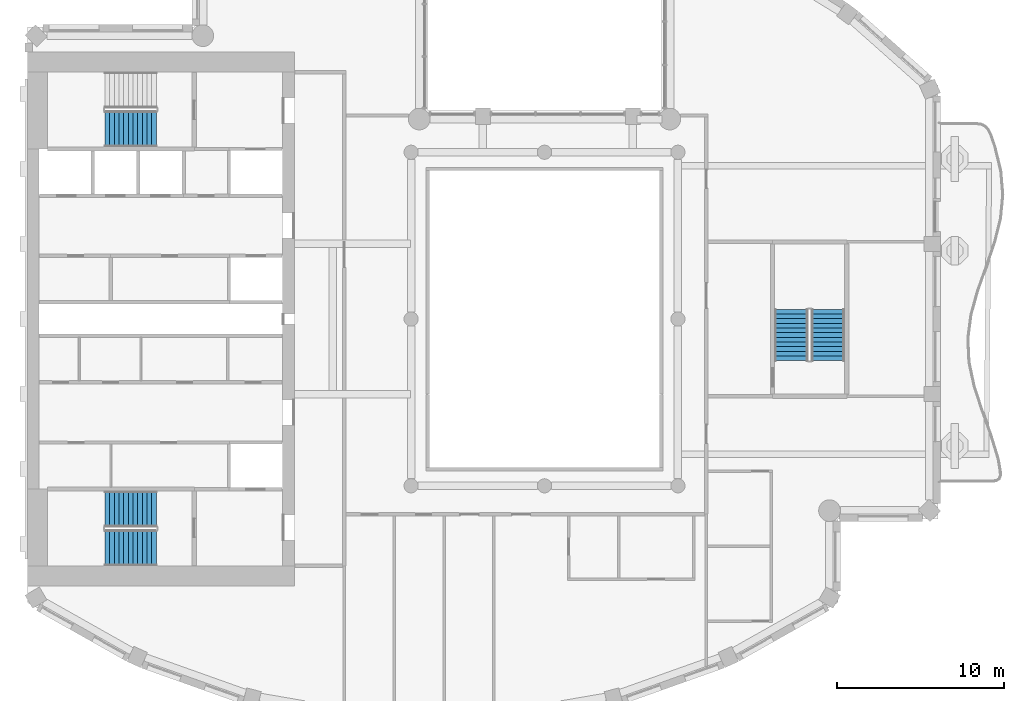
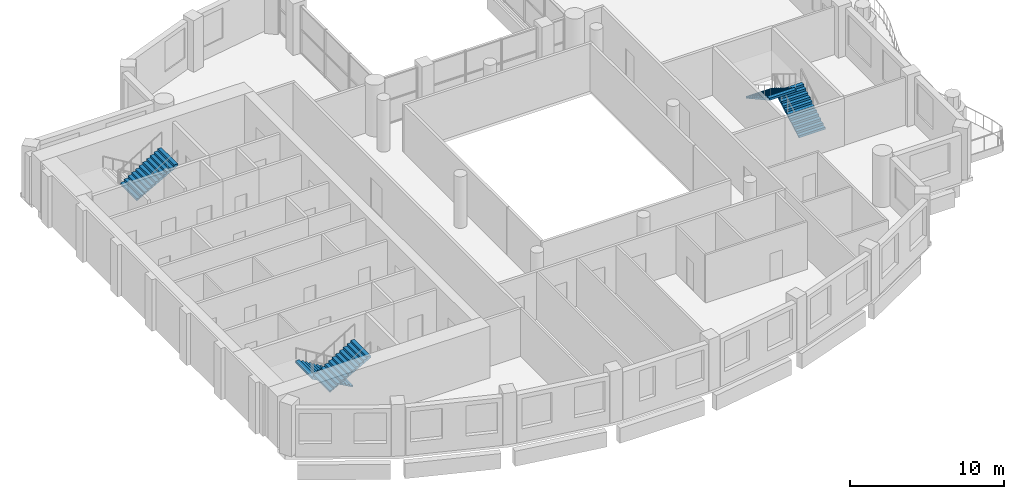
# One storey, part 8 of 14: 5 stair flights, 3 elements without a shape of their own.
"""IFC4 building model written with IfcOpenShell, lengths in metres."""

from ifc_helpers import new_model, si_unit, direction, frame, origin, place, context, subcontext, project, spatial, triangles, material, type_object, element, aggregate, save


model = new_model("IFC4")

# Units and contexts
model_context = context("Model", 3, precision=1e-05, world=origin(), true_north=direction((0.0, 1.0)))
body_context = subcontext(model_context, "Body", "Model", "MODEL_VIEW")
ifc_project = project(units=[si_unit("LENGTHUNIT", "METRE"), si_unit("AREAUNIT", "SQUARE_METRE"), si_unit("VOLUMEUNIT", "CUBIC_METRE"), si_unit("PLANEANGLEUNIT", "RADIAN"), si_unit("MASSUNIT", "GRAM", prefix="KILO")], contexts=[model_context])

# Site, building, storey
site_placement = place(None, origin())
site = spatial("IfcSite", under=ifc_project, at=site_placement, CompositionType="ELEMENT")
building_placement = place(site_placement, origin())
building = spatial("IfcBuilding", under=site, at=building_placement, Name="Cypress Arch Tower", CompositionType="ELEMENT")
storey_placement = place(building_placement, frame((0.0, 0.0, 272.10009765625)))
storey = spatial("IfcBuildingStorey", under=building, at=storey_placement, Name="L61", CompositionType="ELEMENT", Elevation=272.10009765625)

# Stair, stair flights
ifc_material_1 = material(Name="Concrete C40/50", Category="concrete")
stair_type_1 = type_object("IfcStairType", Name="Exit stair ES1708-200", PredefinedType="HALF_TURN_STAIR", material=ifc_material_1)
stair_1_placement = place(storey_placement, origin())
stair_1 = element("IfcStair", 1, at=stair_1_placement, inside=storey, type_object=stair_type_1, Name="L61 Exit stair C", PredefinedType="HALF_TURN_STAIR")
ifc_material_2 = material(Name="Concrete C40/50", Category="concrete")
stair_flight_type_1 = type_object("IfcStairFlightType", Name="Exit stair flight ES1708-200", PredefinedType="STRAIGHT", material=ifc_material_2)
stair_flight_1_placement = place(storey_placement, frame((18.0, -2.5, 0.0), z_axis=(0.0, 0.0, 1.0), x_axis=(0.0, 1.0, 0.0)))
stair_flight_1 = element("IfcStairFlight", 2, at=stair_flight_1_placement, type_object=stair_flight_type_1, Name="C flight 1", NumberOfRisers=12, NumberOfTreads=11, PredefinedType="STRAIGHT", RiserHeight=0.170833333, TreadLength=0.28, context=body_context, shape_type="Tessellation", body=[
    triangles([(0.0, -1.0, 0.0), (0.0, -1.0, 0.1708984375), (0.280029296875, -1.0, 0.1708984375), (0.280029296875, -1.0, 0.341552734375), (0.56005859375, -1.0, 0.341552734375), (0.56005859375, -1.0, 0.512451171875), (0.840087890625, -1.0, 0.512451171875), (0.840087890625, -1.0, 0.683349609375), (1.1201171875, -1.0, 0.683349609375), (1.1201171875, -1.0, 0.854248046875), (1.39990234375, -1.0, 0.854248046875), (1.39990234375, -1.0, 1.02490234375), (1.679931640625, -1.0, 1.02490234375), (1.679931640625, -1.0, 1.19580078125), (1.9599609375, -1.0, 1.19580078125), (1.9599609375, -1.0, 1.36669921875), (2.239990234375, -1.0, 1.36669921875), (2.239990234375, -1.0, 1.53759765625), (2.52001953125, -1.0, 1.53759765625), (2.52001953125, -1.0, 1.708251953125), (2.800048828125, -1.0, 1.708251953125), (2.800048828125, -1.0, 1.879150390625), (3.080078125, -1.0, 1.879150390625), (3.080078125, -1.0, 1.70361328125), (3.080078125, 1.0, 1.70361328125), (3.080078125, 1.0, 1.879150390625), (2.800048828125, 1.0, 1.879150390625), (2.800048828125, 1.0, 1.708251953125), (2.52001953125, 1.0, 1.708251953125), (2.52001953125, 1.0, 1.53759765625), (2.239990234375, 1.0, 1.53759765625), (2.239990234375, 1.0, 1.36669921875), (1.9599609375, 1.0, 1.36669921875), (1.9599609375, 1.0, 1.19580078125), (1.679931640625, 1.0, 1.19580078125), (1.679931640625, 1.0, 1.02490234375), (1.39990234375, 1.0, 1.02490234375), (1.39990234375, 1.0, 0.854248046875), (1.1201171875, 1.0, 0.854248046875), (1.1201171875, 1.0, 0.683349609375), (0.840087890625, 1.0, 0.683349609375), (0.840087890625, 1.0, 0.512451171875), (0.56005859375, 1.0, 0.512451171875), (0.56005859375, 1.0, 0.341552734375), (0.280029296875, 1.0, 0.341552734375), (0.280029296875, 1.0, 0.1708984375), (0.0, 1.0, 0.1708984375), (0.0, 1.0, 0.0), (3.080078125, 0.0, 1.879150390625), (3.080078125, 0.0, 1.70361328125), (2.800048828125, 0.0, 1.879150390625), (2.800048828125, 0.0, 1.708251953125), (2.52001953125, 0.0, 1.708251953125), (2.52001953125, 0.0, 1.53759765625), (2.239990234375, 0.0, 1.53759765625), (2.239990234375, 0.0, 1.36669921875), (1.9599609375, 0.0, 1.36669921875), (1.9599609375, 0.0, 1.19580078125), (1.679931640625, 0.0, 1.19580078125), (1.679931640625, 0.0, 1.02490234375), (1.39990234375, 0.0, 1.02490234375), (1.39990234375, 0.0, 0.854248046875), (1.1201171875, 0.0, 0.854248046875), (1.1201171875, 0.0, 0.683349609375), (0.840087890625, 0.0, 0.683349609375), (0.840087890625, 0.0, 0.512451171875), (0.56005859375, 0.0, 0.512451171875), (0.56005859375, 0.0, 0.341552734375), (0.280029296875, 0.0, 0.341552734375), (0.280029296875, 0.0, 0.1708984375), (0.0, 0.0, 0.1708984375), (0.0, 0.0, 0.0)], [[24, 23, 22], [11, 10, 9], [19, 18, 17], [17, 16, 15], [15, 14, 13], [9, 8, 7], [7, 6, 5], [3, 2, 1], [21, 20, 19], [13, 12, 11], [5, 4, 3], [24, 22, 21], [24, 21, 19], [24, 19, 17], [24, 17, 15], [24, 15, 13], [24, 13, 11], [24, 11, 9], [24, 9, 7], [24, 7, 5], [1, 24, 5], [5, 3, 1], [25, 27, 26], [38, 40, 39], [30, 32, 31], [32, 34, 33], [34, 36, 35], [40, 42, 41], [42, 44, 43], [46, 48, 47], [28, 30, 29], [36, 38, 37], [44, 46, 45], [25, 28, 27], [25, 30, 28], [25, 32, 30], [25, 34, 32], [25, 36, 34], [25, 38, 36], [25, 40, 38], [25, 42, 40], [25, 44, 42], [48, 44, 25], [44, 48, 46], [50, 49, 23], [50, 23, 24], [25, 26, 49], [25, 49, 50], [49, 51, 22], [49, 22, 23], [26, 27, 51], [26, 51, 49], [51, 52, 21], [51, 21, 22], [27, 28, 52], [27, 52, 51], [52, 53, 20], [52, 20, 21], [28, 29, 53], [28, 53, 52], [53, 54, 19], [53, 19, 20], [29, 30, 54], [29, 54, 53], [54, 55, 18], [54, 18, 19], [30, 31, 55], [30, 55, 54], [55, 56, 17], [55, 17, 18], [31, 32, 56], [31, 56, 55], [56, 57, 16], [56, 16, 17], [32, 33, 57], [32, 57, 56], [57, 58, 15], [57, 15, 16], [33, 34, 58], [33, 58, 57], [58, 59, 14], [58, 14, 15], [34, 35, 59], [34, 59, 58], [59, 60, 13], [59, 13, 14], [35, 36, 60], [35, 60, 59], [60, 61, 12], [60, 12, 13], [36, 37, 61], [36, 61, 60], [61, 62, 11], [61, 11, 12], [37, 38, 62], [37, 62, 61], [62, 63, 10], [62, 10, 11], [38, 39, 63], [38, 63, 62], [63, 64, 9], [63, 9, 10], [39, 40, 64], [39, 64, 63], [64, 65, 8], [64, 8, 9], [40, 41, 65], [40, 65, 64], [65, 66, 7], [65, 7, 8], [41, 42, 66], [41, 66, 65], [66, 67, 6], [66, 6, 7], [42, 43, 67], [42, 67, 66], [67, 68, 5], [67, 5, 6], [43, 44, 68], [43, 68, 67], [68, 69, 4], [68, 4, 5], [44, 45, 69], [44, 69, 68], [69, 70, 3], [69, 3, 4], [45, 46, 70], [45, 70, 69], [70, 71, 2], [70, 2, 3], [46, 47, 71], [46, 71, 70], [71, 72, 1], [71, 1, 2], [47, 48, 72], [47, 72, 71], [72, 50, 24], [72, 24, 1], [48, 25, 50], [48, 50, 72]], closed=True),
])
stair_flight_2_placement = place(storey_placement, frame((15.800048828125, 0.580078125, 2.0498046875), z_axis=(0.0, 0.0, 1.0), x_axis=(0.0, -1.0, 0.0)))
stair_flight_2 = element("IfcStairFlight", 3, at=stair_flight_2_placement, type_object=stair_flight_type_1, Name="C flight 2", NumberOfRisers=12, NumberOfTreads=11, PredefinedType="STRAIGHT", RiserHeight=0.170833333, TreadLength=0.28, context=body_context, shape_type="Tessellation", body=[
    triangles([(0.0, -1.0, 0.0), (0.0, -1.0, 0.1708984375), (0.280029296875, -1.0, 0.1708984375), (0.280029296875, -1.0, 0.341552734375), (0.56005859375, -1.0, 0.341552734375), (0.56005859375, -1.0, 0.512451171875), (0.840087890625, -1.0, 0.512451171875), (0.840087890625, -1.0, 0.683349609375), (1.1201171875, -1.0, 0.683349609375), (1.1201171875, -1.0, 0.854248046875), (1.39990234375, -1.0, 0.854248046875), (1.39990234375, -1.0, 1.02490234375), (1.679931640625, -1.0, 1.02490234375), (1.679931640625, -1.0, 1.19580078125), (1.9599609375, -1.0, 1.19580078125), (1.9599609375, -1.0, 1.36669921875), (2.239990234375, -1.0, 1.36669921875), (2.239990234375, -1.0, 1.53759765625), (2.52001953125, -1.0, 1.53759765625), (2.52001953125, -1.0, 1.708251953125), (2.800048828125, -1.0, 1.708251953125), (2.800048828125, -1.0, 1.879150390625), (3.080078125, -1.0, 1.879150390625), (3.080078125, -1.0, 1.70361328125), (3.080078125, 1.0, 1.70361328125), (3.080078125, 1.0, 1.879150390625), (2.800048828125, 1.0, 1.879150390625), (2.800048828125, 1.0, 1.708251953125), (2.52001953125, 1.0, 1.708251953125), (2.52001953125, 1.0, 1.53759765625), (2.239990234375, 1.0, 1.53759765625), (2.239990234375, 1.0, 1.36669921875), (1.9599609375, 1.0, 1.36669921875), (1.9599609375, 1.0, 1.19580078125), (1.679931640625, 1.0, 1.19580078125), (1.679931640625, 1.0, 1.02490234375), (1.39990234375, 1.0, 1.02490234375), (1.39990234375, 1.0, 0.854248046875), (1.1201171875, 1.0, 0.854248046875), (1.1201171875, 1.0, 0.683349609375), (0.840087890625, 1.0, 0.683349609375), (0.840087890625, 1.0, 0.512451171875), (0.56005859375, 1.0, 0.512451171875), (0.56005859375, 1.0, 0.341552734375), (0.280029296875, 1.0, 0.341552734375), (0.280029296875, 1.0, 0.1708984375), (0.0, 1.0, 0.1708984375), (0.0, 1.0, 0.0), (3.080078125, 0.0, 1.879150390625), (3.080078125, 0.0, 1.70361328125), (2.800048828125, 0.0, 1.879150390625), (2.800048828125, 0.0, 1.708251953125), (2.52001953125, 0.0, 1.708251953125), (2.52001953125, 0.0, 1.53759765625), (2.239990234375, 0.0, 1.53759765625), (2.239990234375, 0.0, 1.36669921875), (1.9599609375, 0.0, 1.36669921875), (1.9599609375, 0.0, 1.19580078125), (1.679931640625, 0.0, 1.19580078125), (1.679931640625, 0.0, 1.02490234375), (1.39990234375, 0.0, 1.02490234375), (1.39990234375, 0.0, 0.854248046875), (1.1201171875, 0.0, 0.854248046875), (1.1201171875, 0.0, 0.683349609375), (0.840087890625, 0.0, 0.683349609375), (0.840087890625, 0.0, 0.512451171875), (0.56005859375, 0.0, 0.512451171875), (0.56005859375, 0.0, 0.341552734375), (0.280029296875, 0.0, 0.341552734375), (0.280029296875, 0.0, 0.1708984375), (0.0, 0.0, 0.1708984375), (0.0, 0.0, 0.0)], [[24, 23, 22], [11, 10, 9], [19, 18, 17], [17, 16, 15], [15, 14, 13], [9, 8, 7], [7, 6, 5], [3, 2, 1], [21, 20, 19], [13, 12, 11], [5, 4, 3], [24, 22, 21], [24, 21, 19], [24, 19, 17], [24, 17, 15], [24, 15, 13], [24, 13, 11], [24, 11, 9], [24, 9, 7], [24, 7, 5], [1, 24, 5], [5, 3, 1], [25, 27, 26], [38, 40, 39], [30, 32, 31], [32, 34, 33], [34, 36, 35], [40, 42, 41], [42, 44, 43], [46, 48, 47], [28, 30, 29], [36, 38, 37], [44, 46, 45], [25, 28, 27], [25, 30, 28], [25, 32, 30], [25, 34, 32], [25, 36, 34], [25, 38, 36], [25, 40, 38], [25, 42, 40], [25, 44, 42], [48, 44, 25], [44, 48, 46], [50, 49, 23], [50, 23, 24], [25, 26, 49], [25, 49, 50], [49, 51, 22], [49, 22, 23], [26, 27, 51], [26, 51, 49], [51, 52, 21], [51, 21, 22], [27, 28, 52], [27, 52, 51], [52, 53, 20], [52, 20, 21], [28, 29, 53], [28, 53, 52], [53, 54, 19], [53, 19, 20], [29, 30, 54], [29, 54, 53], [54, 55, 18], [54, 18, 19], [30, 31, 55], [30, 55, 54], [55, 56, 17], [55, 17, 18], [31, 32, 56], [31, 56, 55], [56, 57, 16], [56, 16, 17], [32, 33, 57], [32, 57, 56], [57, 58, 15], [57, 15, 16], [33, 34, 58], [33, 58, 57], [58, 59, 14], [58, 14, 15], [34, 35, 59], [34, 59, 58], [59, 60, 13], [59, 13, 14], [35, 36, 60], [35, 60, 59], [60, 61, 12], [60, 12, 13], [36, 37, 61], [36, 61, 60], [61, 62, 11], [61, 11, 12], [37, 38, 62], [37, 62, 61], [62, 63, 10], [62, 10, 11], [38, 39, 63], [38, 63, 62], [63, 64, 9], [63, 9, 10], [39, 40, 64], [39, 64, 63], [64, 65, 8], [64, 8, 9], [40, 41, 65], [40, 65, 64], [65, 66, 7], [65, 7, 8], [41, 42, 66], [41, 66, 65], [66, 67, 6], [66, 6, 7], [42, 43, 67], [42, 67, 66], [67, 68, 5], [67, 5, 6], [43, 44, 68], [43, 68, 67], [68, 69, 4], [68, 4, 5], [44, 45, 69], [44, 69, 68], [69, 70, 3], [69, 3, 4], [45, 46, 70], [45, 70, 69], [70, 71, 2], [70, 2, 3], [46, 47, 71], [46, 71, 70], [71, 72, 1], [71, 1, 2], [47, 48, 72], [47, 72, 71], [72, 50, 24], [72, 24, 1], [48, 25, 50], [48, 50, 72]], closed=True),
])
aggregate(stair_1, [stair_flight_1, stair_flight_2])

ifc_material_3 = material(Name="Concrete C40/50", Category="concrete")
stair_type_2 = type_object("IfcStairType", Name="Exit stair ES1708-215", PredefinedType="HALF_TURN_STAIR", material=ifc_material_3)
stair_2_placement = place(storey_placement, origin())
stair_2 = element("IfcStair", 4, at=stair_2_placement, inside=storey, type_object=stair_type_2, Name="L61 Exit stair A", PredefinedType="HALF_TURN_STAIR")
ifc_material_4 = material(Name="Concrete C40/50", Category="concrete")
stair_flight_type_2 = type_object("IfcStairFlightType", Name="Exit stair flight ES1708-215", PredefinedType="STRAIGHT", material=ifc_material_4)
stair_flight_3_placement = place(storey_placement, frame((-22.27490234375, -11.39990234375, 0.0), z_axis=(0.0, 0.0, 1.0), x_axis=(-1.0, 0.0, 0.0)))
stair_flight_3 = element("IfcStairFlight", 5, at=stair_flight_3_placement, type_object=stair_flight_type_2, Name="A flight 1", NumberOfRisers=12, NumberOfTreads=11, PredefinedType="STRAIGHT", RiserHeight=0.170833333, TreadLength=0.28, context=body_context, shape_type="Tessellation", body=[
    triangles([(0.0, -1.074951171875, 0.0), (0.000244140625, -1.074951171875, 0.01904296875), (0.000244140625, -1.074951171875, 0.0380859375), (0.00048828125, -1.074951171875, 0.056884765625), (0.00048828125, -1.074951171875, 0.075927734375), (0.00048828125, -1.074951171875, 0.094970703125), (0.00048828125, -1.074951171875, 0.114013671875), (0.000244140625, -1.074951171875, 0.1328125), (0.000244140625, -1.074951171875, 0.15185546875), (0.0, -1.074951171875, 0.1708984375), (0.280029296875, -1.074951171875, 0.1708984375), (0.280029296875, -1.074951171875, 0.341552734375), (0.56005859375, -1.074951171875, 0.341552734375), (0.56005859375, -1.074951171875, 0.512451171875), (0.840087890625, -1.074951171875, 0.512451171875), (0.840087890625, -1.074951171875, 0.683349609375), (1.1201171875, -1.074951171875, 0.683349609375), (1.1201171875, -1.074951171875, 0.854248046875), (1.39990234375, -1.074951171875, 0.854248046875), (1.39990234375, -1.074951171875, 1.02490234375), (1.679931640625, -1.074951171875, 1.02490234375), (1.679931640625, -1.074951171875, 1.19580078125), (1.9599609375, -1.074951171875, 1.19580078125), (1.9599609375, -1.074951171875, 1.36669921875), (2.239990234375, -1.074951171875, 1.36669921875), (2.239990234375, -1.074951171875, 1.53759765625), (2.52001953125, -1.074951171875, 1.53759765625), (2.52001953125, -1.074951171875, 1.708251953125), (2.800048828125, -1.074951171875, 1.708251953125), (2.800048828125, -1.074951171875, 1.879150390625), (3.080078125, -1.074951171875, 1.879150390625), (3.079833984375, -1.074951171875, 1.859619140625), (3.079833984375, -1.074951171875, 1.840087890625), (3.07958984375, -1.074951171875, 1.820556640625), (3.07958984375, -1.074951171875, 1.801025390625), (3.07958984375, -1.074951171875, 1.78173828125), (3.07958984375, -1.074951171875, 1.76220703125), (3.079833984375, -1.074951171875, 1.74267578125), (3.079833984375, -1.074951171875, 1.72314453125), (3.080078125, -1.074951171875, 1.70361328125), (3.080078125, 1.074951171875, 1.70361328125), (3.079833984375, 1.074951171875, 1.72314453125), (3.079833984375, 1.074951171875, 1.74267578125), (3.07958984375, 1.074951171875, 1.76220703125), (3.07958984375, 1.074951171875, 1.78173828125), (3.07958984375, 1.074951171875, 1.801025390625), (3.07958984375, 1.074951171875, 1.820556640625), (3.079833984375, 1.074951171875, 1.840087890625), (3.079833984375, 1.074951171875, 1.859619140625), (3.080078125, 1.074951171875, 1.879150390625), (2.800048828125, 1.074951171875, 1.879150390625), (2.800048828125, 1.074951171875, 1.708251953125), (2.52001953125, 1.074951171875, 1.708251953125), (2.52001953125, 1.074951171875, 1.53759765625), (2.239990234375, 1.074951171875, 1.53759765625), (2.239990234375, 1.074951171875, 1.36669921875), (1.9599609375, 1.074951171875, 1.36669921875), (1.9599609375, 1.074951171875, 1.19580078125), (1.679931640625, 1.074951171875, 1.19580078125), (1.679931640625, 1.074951171875, 1.02490234375), (1.39990234375, 1.074951171875, 1.02490234375), (1.39990234375, 1.074951171875, 0.854248046875), (1.1201171875, 1.074951171875, 0.854248046875), (1.1201171875, 1.074951171875, 0.683349609375), (0.840087890625, 1.074951171875, 0.683349609375), (0.840087890625, 1.074951171875, 0.512451171875), (0.56005859375, 1.074951171875, 0.512451171875), (0.56005859375, 1.074951171875, 0.341552734375), (0.280029296875, 1.074951171875, 0.341552734375), (0.280029296875, 1.074951171875, 0.1708984375), (0.0, 1.074951171875, 0.1708984375), (0.000244140625, 1.074951171875, 0.15185546875), (0.000244140625, 1.074951171875, 0.1328125), (0.00048828125, 1.074951171875, 0.114013671875), (0.00048828125, 1.074951171875, 0.094970703125), (0.00048828125, 1.074951171875, 0.075927734375), (0.00048828125, 1.074951171875, 0.056884765625), (0.000244140625, 1.074951171875, 0.0380859375), (0.000244140625, 1.074951171875, 0.01904296875), (0.0, 1.074951171875, 0.0)], [[40, 39, 30], [39, 38, 30], [38, 37, 30], [37, 36, 30], [36, 35, 30], [35, 34, 30], [34, 33, 30], [33, 32, 30], [32, 31, 30], [19, 18, 17], [27, 26, 25], [25, 24, 23], [23, 22, 21], [17, 16, 15], [15, 14, 13], [10, 9, 11], [9, 8, 11], [8, 7, 11], [7, 6, 11], [6, 5, 11], [5, 4, 11], [4, 3, 11], [3, 2, 11], [2, 1, 11], [29, 28, 27], [21, 20, 19], [13, 12, 11], [40, 30, 29], [40, 29, 27], [40, 27, 25], [40, 25, 23], [40, 23, 21], [40, 21, 19], [40, 19, 17], [40, 17, 15], [40, 15, 13], [1, 40, 13], [13, 11, 1], [41, 51, 42], [42, 51, 43], [43, 51, 44], [44, 51, 45], [45, 51, 46], [46, 51, 47], [47, 51, 48], [48, 51, 49], [49, 51, 50], [62, 64, 63], [54, 56, 55], [56, 58, 57], [58, 60, 59], [64, 66, 65], [66, 68, 67], [71, 70, 72], [72, 70, 73], [73, 70, 74], [74, 70, 75], [75, 70, 76], [76, 70, 77], [77, 70, 78], [78, 70, 79], [79, 70, 80], [52, 54, 53], [60, 62, 61], [68, 70, 69], [41, 52, 51], [41, 54, 52], [41, 56, 54], [41, 58, 56], [41, 60, 58], [41, 62, 60], [41, 64, 62], [41, 66, 64], [41, 68, 66], [80, 68, 41], [68, 80, 70], [41, 42, 39], [41, 39, 40], [42, 43, 38], [42, 38, 39], [43, 44, 37], [43, 37, 38], [44, 45, 36], [44, 36, 37], [45, 46, 35], [45, 35, 36], [46, 47, 34], [46, 34, 35], [47, 48, 33], [47, 33, 34], [48, 49, 32], [48, 32, 33], [49, 50, 31], [49, 31, 32], [50, 51, 30], [50, 30, 31], [51, 52, 29], [51, 29, 30], [52, 53, 28], [52, 28, 29], [53, 54, 27], [53, 27, 28], [54, 55, 26], [54, 26, 27], [55, 56, 25], [55, 25, 26], [56, 57, 24], [56, 24, 25], [57, 58, 23], [57, 23, 24], [58, 59, 22], [58, 22, 23], [59, 60, 21], [59, 21, 22], [60, 61, 20], [60, 20, 21], [61, 62, 19], [61, 19, 20], [62, 63, 18], [62, 18, 19], [63, 64, 17], [63, 17, 18], [64, 65, 16], [64, 16, 17], [65, 66, 15], [65, 15, 16], [66, 67, 14], [66, 14, 15], [67, 68, 13], [67, 13, 14], [68, 69, 12], [68, 12, 13], [69, 70, 11], [69, 11, 12], [70, 71, 10], [70, 10, 11], [71, 72, 9], [71, 9, 10], [72, 73, 8], [72, 8, 9], [73, 74, 7], [73, 7, 8], [74, 75, 6], [74, 6, 7], [75, 76, 5], [75, 5, 6], [76, 77, 4], [76, 4, 5], [77, 78, 3], [77, 3, 4], [78, 79, 2], [78, 2, 3], [79, 80, 1], [79, 1, 2], [80, 41, 40], [80, 40, 1]], closed=True),
])
stair_flight_4_placement = place(storey_placement, frame((-25.35498046875, -13.72509765625, 2.0498046875), z_axis=(0.0, 0.0, 1.0), x_axis=(1.0, 0.0, 0.0)))
stair_flight_4 = element("IfcStairFlight", 6, at=stair_flight_4_placement, type_object=stair_flight_type_2, Name="A flight 2", NumberOfRisers=12, NumberOfTreads=11, PredefinedType="STRAIGHT", RiserHeight=0.170833333, TreadLength=0.28, context=body_context, shape_type="Tessellation", body=[
    triangles([(0.0, -1.074951171875, 0.0), (0.000244140625, -1.074951171875, 0.01904296875), (0.000244140625, -1.074951171875, 0.0380859375), (0.00048828125, -1.074951171875, 0.056884765625), (0.00048828125, -1.074951171875, 0.075927734375), (0.00048828125, -1.074951171875, 0.094970703125), (0.00048828125, -1.074951171875, 0.114013671875), (0.000244140625, -1.074951171875, 0.1328125), (0.000244140625, -1.074951171875, 0.15185546875), (0.0, -1.074951171875, 0.1708984375), (0.280029296875, -1.074951171875, 0.1708984375), (0.280029296875, -1.074951171875, 0.341552734375), (0.56005859375, -1.074951171875, 0.341552734375), (0.56005859375, -1.074951171875, 0.512451171875), (0.840087890625, -1.074951171875, 0.512451171875), (0.840087890625, -1.074951171875, 0.683349609375), (1.1201171875, -1.074951171875, 0.683349609375), (1.1201171875, -1.074951171875, 0.854248046875), (1.39990234375, -1.074951171875, 0.854248046875), (1.39990234375, -1.074951171875, 1.02490234375), (1.679931640625, -1.074951171875, 1.02490234375), (1.679931640625, -1.074951171875, 1.19580078125), (1.9599609375, -1.074951171875, 1.19580078125), (1.9599609375, -1.074951171875, 1.36669921875), (2.239990234375, -1.074951171875, 1.36669921875), (2.239990234375, -1.074951171875, 1.53759765625), (2.52001953125, -1.074951171875, 1.53759765625), (2.52001953125, -1.074951171875, 1.708251953125), (2.800048828125, -1.074951171875, 1.708251953125), (2.800048828125, -1.074951171875, 1.879150390625), (3.080078125, -1.074951171875, 1.879150390625), (3.079833984375, -1.074951171875, 1.859619140625), (3.079833984375, -1.074951171875, 1.840087890625), (3.07958984375, -1.074951171875, 1.820556640625), (3.07958984375, -1.074951171875, 1.801025390625), (3.07958984375, -1.074951171875, 1.78173828125), (3.07958984375, -1.074951171875, 1.76220703125), (3.079833984375, -1.074951171875, 1.74267578125), (3.079833984375, -1.074951171875, 1.72314453125), (3.080078125, -1.074951171875, 1.70361328125), (3.080078125, 1.074951171875, 1.70361328125), (3.079833984375, 1.074951171875, 1.72314453125), (3.079833984375, 1.074951171875, 1.74267578125), (3.07958984375, 1.074951171875, 1.76220703125), (3.07958984375, 1.074951171875, 1.78173828125), (3.07958984375, 1.074951171875, 1.801025390625), (3.07958984375, 1.074951171875, 1.820556640625), (3.079833984375, 1.074951171875, 1.840087890625), (3.079833984375, 1.074951171875, 1.859619140625), (3.080078125, 1.074951171875, 1.879150390625), (2.800048828125, 1.074951171875, 1.879150390625), (2.800048828125, 1.074951171875, 1.708251953125), (2.52001953125, 1.074951171875, 1.708251953125), (2.52001953125, 1.074951171875, 1.53759765625), (2.239990234375, 1.074951171875, 1.53759765625), (2.239990234375, 1.074951171875, 1.36669921875), (1.9599609375, 1.074951171875, 1.36669921875), (1.9599609375, 1.074951171875, 1.19580078125), (1.679931640625, 1.074951171875, 1.19580078125), (1.679931640625, 1.074951171875, 1.02490234375), (1.39990234375, 1.074951171875, 1.02490234375), (1.39990234375, 1.074951171875, 0.854248046875), (1.1201171875, 1.074951171875, 0.854248046875), (1.1201171875, 1.074951171875, 0.683349609375), (0.840087890625, 1.074951171875, 0.683349609375), (0.840087890625, 1.074951171875, 0.512451171875), (0.56005859375, 1.074951171875, 0.512451171875), (0.56005859375, 1.074951171875, 0.341552734375), (0.280029296875, 1.074951171875, 0.341552734375), (0.280029296875, 1.074951171875, 0.1708984375), (0.0, 1.074951171875, 0.1708984375), (0.000244140625, 1.074951171875, 0.15185546875), (0.000244140625, 1.074951171875, 0.1328125), (0.00048828125, 1.074951171875, 0.114013671875), (0.00048828125, 1.074951171875, 0.094970703125), (0.00048828125, 1.074951171875, 0.075927734375), (0.00048828125, 1.074951171875, 0.056884765625), (0.000244140625, 1.074951171875, 0.0380859375), (0.000244140625, 1.074951171875, 0.01904296875), (0.0, 1.074951171875, 0.0)], [[40, 39, 30], [39, 38, 30], [38, 37, 30], [37, 36, 30], [36, 35, 30], [35, 34, 30], [34, 33, 30], [33, 32, 30], [32, 31, 30], [19, 18, 17], [27, 26, 25], [25, 24, 23], [23, 22, 21], [17, 16, 15], [15, 14, 13], [10, 9, 11], [9, 8, 11], [8, 7, 11], [7, 6, 11], [6, 5, 11], [5, 4, 11], [4, 3, 11], [3, 2, 11], [2, 1, 11], [29, 28, 27], [21, 20, 19], [13, 12, 11], [40, 30, 29], [40, 29, 27], [40, 27, 25], [40, 25, 23], [40, 23, 21], [40, 21, 19], [40, 19, 17], [40, 17, 15], [40, 15, 13], [1, 40, 13], [13, 11, 1], [41, 51, 42], [42, 51, 43], [43, 51, 44], [44, 51, 45], [45, 51, 46], [46, 51, 47], [47, 51, 48], [48, 51, 49], [49, 51, 50], [62, 64, 63], [54, 56, 55], [56, 58, 57], [58, 60, 59], [64, 66, 65], [66, 68, 67], [71, 70, 72], [72, 70, 73], [73, 70, 74], [74, 70, 75], [75, 70, 76], [76, 70, 77], [77, 70, 78], [78, 70, 79], [79, 70, 80], [52, 54, 53], [60, 62, 61], [68, 70, 69], [41, 52, 51], [41, 54, 52], [41, 56, 54], [41, 58, 56], [41, 60, 58], [41, 62, 60], [41, 64, 62], [41, 66, 64], [41, 68, 66], [80, 68, 41], [68, 80, 70], [41, 42, 39], [41, 39, 40], [42, 43, 38], [42, 38, 39], [43, 44, 37], [43, 37, 38], [44, 45, 36], [44, 36, 37], [45, 46, 35], [45, 35, 36], [46, 47, 34], [46, 34, 35], [47, 48, 33], [47, 33, 34], [48, 49, 32], [48, 32, 33], [49, 50, 31], [49, 31, 32], [50, 51, 30], [50, 30, 31], [51, 52, 29], [51, 29, 30], [52, 53, 28], [52, 28, 29], [53, 54, 27], [53, 27, 28], [54, 55, 26], [54, 26, 27], [55, 56, 25], [55, 25, 26], [56, 57, 24], [56, 24, 25], [57, 58, 23], [57, 23, 24], [58, 59, 22], [58, 22, 23], [59, 60, 21], [59, 21, 22], [60, 61, 20], [60, 20, 21], [61, 62, 19], [61, 19, 20], [62, 63, 18], [62, 18, 19], [63, 64, 17], [63, 17, 18], [64, 65, 16], [64, 16, 17], [65, 66, 15], [65, 15, 16], [66, 67, 14], [66, 14, 15], [67, 68, 13], [67, 13, 14], [68, 69, 12], [68, 12, 13], [69, 70, 11], [69, 11, 12], [70, 71, 10], [70, 10, 11], [71, 72, 9], [71, 9, 10], [72, 73, 8], [72, 8, 9], [73, 74, 7], [73, 7, 8], [74, 75, 6], [74, 6, 7], [75, 76, 5], [75, 5, 6], [76, 77, 4], [76, 4, 5], [77, 78, 3], [77, 3, 4], [78, 79, 2], [78, 2, 3], [79, 80, 1], [79, 1, 2], [80, 41, 40], [80, 40, 1]], closed=True),
])
aggregate(stair_2, [stair_flight_3, stair_flight_4])

# Stair, stair flight
stair_3_placement = place(storey_placement, origin())
stair_3 = element("IfcStair", 7, at=stair_3_placement, inside=storey, type_object=stair_type_2, Name="L61 Exit stair B", PredefinedType="HALF_TURN_STAIR")
stair_flight_5_placement = place(storey_placement, frame((-25.35498046875, 11.39990234375, 2.0498046875), z_axis=(0.0, 0.0, 1.0), x_axis=(1.0, 0.0, 0.0)))
stair_flight_5 = element("IfcStairFlight", 8, at=stair_flight_5_placement, type_object=stair_flight_type_2, Name="B flight 2", NumberOfRisers=12, NumberOfTreads=11, PredefinedType="STRAIGHT", RiserHeight=0.170833333, TreadLength=0.28, context=body_context, shape_type="Tessellation", body=[
    triangles([(0.0, -1.074951171875, 0.0), (0.000244140625, -1.074951171875, 0.01904296875), (0.000244140625, -1.074951171875, 0.0380859375), (0.00048828125, -1.074951171875, 0.056884765625), (0.00048828125, -1.074951171875, 0.075927734375), (0.00048828125, -1.074951171875, 0.094970703125), (0.00048828125, -1.074951171875, 0.114013671875), (0.000244140625, -1.074951171875, 0.1328125), (0.000244140625, -1.074951171875, 0.15185546875), (0.0, -1.074951171875, 0.1708984375), (0.280029296875, -1.074951171875, 0.1708984375), (0.280029296875, -1.074951171875, 0.341552734375), (0.56005859375, -1.074951171875, 0.341552734375), (0.56005859375, -1.074951171875, 0.512451171875), (0.840087890625, -1.074951171875, 0.512451171875), (0.840087890625, -1.074951171875, 0.683349609375), (1.1201171875, -1.074951171875, 0.683349609375), (1.1201171875, -1.074951171875, 0.854248046875), (1.39990234375, -1.074951171875, 0.854248046875), (1.39990234375, -1.074951171875, 1.02490234375), (1.679931640625, -1.074951171875, 1.02490234375), (1.679931640625, -1.074951171875, 1.19580078125), (1.9599609375, -1.074951171875, 1.19580078125), (1.9599609375, -1.074951171875, 1.36669921875), (2.239990234375, -1.074951171875, 1.36669921875), (2.239990234375, -1.074951171875, 1.53759765625), (2.52001953125, -1.074951171875, 1.53759765625), (2.52001953125, -1.074951171875, 1.708251953125), (2.800048828125, -1.074951171875, 1.708251953125), (2.800048828125, -1.074951171875, 1.879150390625), (3.080078125, -1.074951171875, 1.879150390625), (3.079833984375, -1.074951171875, 1.859619140625), (3.079833984375, -1.074951171875, 1.840087890625), (3.07958984375, -1.074951171875, 1.820556640625), (3.07958984375, -1.074951171875, 1.801025390625), (3.07958984375, -1.074951171875, 1.78173828125), (3.07958984375, -1.074951171875, 1.76220703125), (3.079833984375, -1.074951171875, 1.74267578125), (3.079833984375, -1.074951171875, 1.72314453125), (3.080078125, -1.074951171875, 1.70361328125), (3.080078125, 1.074951171875, 1.70361328125), (3.079833984375, 1.074951171875, 1.72314453125), (3.079833984375, 1.074951171875, 1.74267578125), (3.07958984375, 1.074951171875, 1.76220703125), (3.07958984375, 1.074951171875, 1.78173828125), (3.07958984375, 1.074951171875, 1.801025390625), (3.07958984375, 1.074951171875, 1.820556640625), (3.079833984375, 1.074951171875, 1.840087890625), (3.079833984375, 1.074951171875, 1.859619140625), (3.080078125, 1.074951171875, 1.879150390625), (2.800048828125, 1.074951171875, 1.879150390625), (2.800048828125, 1.074951171875, 1.708251953125), (2.52001953125, 1.074951171875, 1.708251953125), (2.52001953125, 1.074951171875, 1.53759765625), (2.239990234375, 1.074951171875, 1.53759765625), (2.239990234375, 1.074951171875, 1.36669921875), (1.9599609375, 1.074951171875, 1.36669921875), (1.9599609375, 1.074951171875, 1.19580078125), (1.679931640625, 1.074951171875, 1.19580078125), (1.679931640625, 1.074951171875, 1.02490234375), (1.39990234375, 1.074951171875, 1.02490234375), (1.39990234375, 1.074951171875, 0.854248046875), (1.1201171875, 1.074951171875, 0.854248046875), (1.1201171875, 1.074951171875, 0.683349609375), (0.840087890625, 1.074951171875, 0.683349609375), (0.840087890625, 1.074951171875, 0.512451171875), (0.56005859375, 1.074951171875, 0.512451171875), (0.56005859375, 1.074951171875, 0.341552734375), (0.280029296875, 1.074951171875, 0.341552734375), (0.280029296875, 1.074951171875, 0.1708984375), (0.0, 1.074951171875, 0.1708984375), (0.000244140625, 1.074951171875, 0.15185546875), (0.000244140625, 1.074951171875, 0.1328125), (0.00048828125, 1.074951171875, 0.114013671875), (0.00048828125, 1.074951171875, 0.094970703125), (0.00048828125, 1.074951171875, 0.075927734375), (0.00048828125, 1.074951171875, 0.056884765625), (0.000244140625, 1.074951171875, 0.0380859375), (0.000244140625, 1.074951171875, 0.01904296875), (0.0, 1.074951171875, 0.0)], [[40, 39, 30], [39, 38, 30], [38, 37, 30], [37, 36, 30], [36, 35, 30], [35, 34, 30], [34, 33, 30], [33, 32, 30], [32, 31, 30], [19, 18, 17], [27, 26, 25], [25, 24, 23], [23, 22, 21], [17, 16, 15], [15, 14, 13], [10, 9, 11], [9, 8, 11], [8, 7, 11], [7, 6, 11], [6, 5, 11], [5, 4, 11], [4, 3, 11], [3, 2, 11], [2, 1, 11], [29, 28, 27], [21, 20, 19], [13, 12, 11], [40, 30, 29], [40, 29, 27], [40, 27, 25], [40, 25, 23], [40, 23, 21], [40, 21, 19], [40, 19, 17], [40, 17, 15], [40, 15, 13], [1, 40, 13], [13, 11, 1], [41, 51, 42], [42, 51, 43], [43, 51, 44], [44, 51, 45], [45, 51, 46], [46, 51, 47], [47, 51, 48], [48, 51, 49], [49, 51, 50], [62, 64, 63], [54, 56, 55], [56, 58, 57], [58, 60, 59], [64, 66, 65], [66, 68, 67], [71, 70, 72], [72, 70, 73], [73, 70, 74], [74, 70, 75], [75, 70, 76], [76, 70, 77], [77, 70, 78], [78, 70, 79], [79, 70, 80], [52, 54, 53], [60, 62, 61], [68, 70, 69], [41, 52, 51], [41, 54, 52], [41, 56, 54], [41, 58, 56], [41, 60, 58], [41, 62, 60], [41, 64, 62], [41, 66, 64], [41, 68, 66], [80, 68, 41], [68, 80, 70], [41, 42, 39], [41, 39, 40], [42, 43, 38], [42, 38, 39], [43, 44, 37], [43, 37, 38], [44, 45, 36], [44, 36, 37], [45, 46, 35], [45, 35, 36], [46, 47, 34], [46, 34, 35], [47, 48, 33], [47, 33, 34], [48, 49, 32], [48, 32, 33], [49, 50, 31], [49, 31, 32], [50, 51, 30], [50, 30, 31], [51, 52, 29], [51, 29, 30], [52, 53, 28], [52, 28, 29], [53, 54, 27], [53, 27, 28], [54, 55, 26], [54, 26, 27], [55, 56, 25], [55, 25, 26], [56, 57, 24], [56, 24, 25], [57, 58, 23], [57, 23, 24], [58, 59, 22], [58, 22, 23], [59, 60, 21], [59, 21, 22], [60, 61, 20], [60, 20, 21], [61, 62, 19], [61, 19, 20], [62, 63, 18], [62, 18, 19], [63, 64, 17], [63, 17, 18], [64, 65, 16], [64, 16, 17], [65, 66, 15], [65, 15, 16], [66, 67, 14], [66, 14, 15], [67, 68, 13], [67, 13, 14], [68, 69, 12], [68, 12, 13], [69, 70, 11], [69, 11, 12], [70, 71, 10], [70, 10, 11], [71, 72, 9], [71, 9, 10], [72, 73, 8], [72, 8, 9], [73, 74, 7], [73, 7, 8], [74, 75, 6], [74, 6, 7], [75, 76, 5], [75, 5, 6], [76, 77, 4], [76, 4, 5], [77, 78, 3], [77, 3, 4], [78, 79, 2], [78, 2, 3], [79, 80, 1], [79, 1, 2], [80, 41, 40], [80, 40, 1]], closed=True),
])
aggregate(stair_3, [stair_flight_5])

save(model, "model.ifc")
